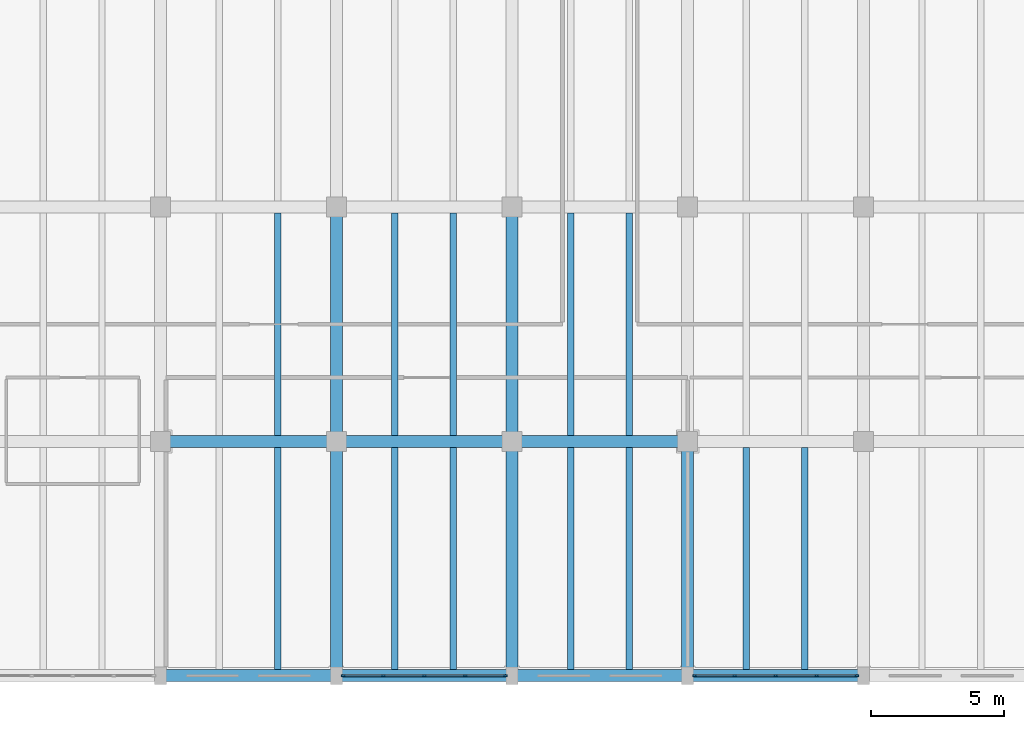
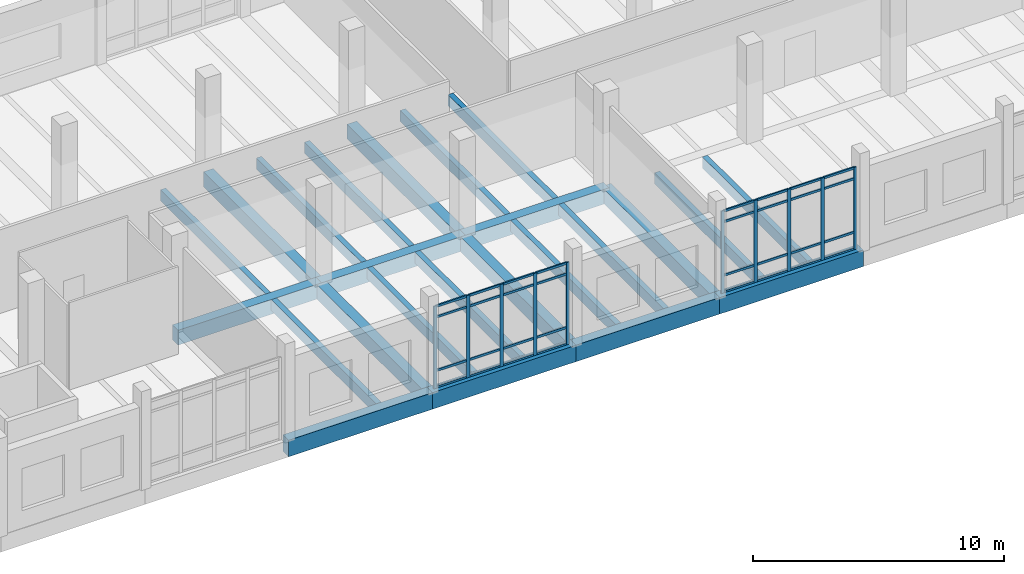
# One storey, part 46 of 125: 42 members, 24 beams, 2 elements without a shape of their own.
"""IFC4 building model written with IfcOpenShell, lengths in metres."""

from ifc_helpers import new_model, si_unit, direction, frame, origin, origin_2d, place, context, subcontext, project, spatial, rectangle, extrude, material, material_profile, profile_set, type_object, element, aggregate, save


model = new_model("IFC4")

# Units and contexts
model_context = context("Model", 3, precision=1e-05, world=origin(), true_north=direction((0.0, 1.0)))
body_context = subcontext(model_context, "Body", "Model", "MODEL_VIEW")
ifc_project = project(units=[si_unit("LENGTHUNIT", "METRE"), si_unit("AREAUNIT", "SQUARE_METRE"), si_unit("VOLUMEUNIT", "CUBIC_METRE"), si_unit("PLANEANGLEUNIT", "RADIAN"), si_unit("MASSUNIT", "GRAM", prefix="KILO")], contexts=[model_context])

# Site, building, storey
site_placement = place(None, origin())
site = spatial("IfcSite", under=ifc_project, at=site_placement, CompositionType="ELEMENT")
building_placement = place(site_placement, origin())
building = spatial("IfcBuilding", under=site, at=building_placement, Name="Dornvale Research Institute", CompositionType="ELEMENT")
storey_placement = place(building_placement, frame((0.0, 0.0, 5.39990234375)))
storey = spatial("IfcBuildingStorey", under=building, at=storey_placement, Name="L01", CompositionType="ELEMENT", Elevation=5.39990234375)

# Beams
ifc_material_1 = material(Name="Concrete f'c 45 MPa (C35/45)", Category="concrete")
ifc_material_profile_1 = material_profile(ifc_material_1, rectangle(XDim=0.449951171875, YDim=0.715087890625, at=origin_2d()), Name="RC 450x715")
ifc_profile_set_1 = profile_set([ifc_material_profile_1], Name="Concrete f'c 45 MPa (C35/45)")
beam_type_1 = type_object("IfcBeamType", Name="Beam_RC450x715_Lab", PredefinedType="BEAM", material=ifc_profile_set_1)
for number, where, z_axis, x_axis, name in (
    (1, (125.39990234375, 8.800048828125, -0.357421875), (1.0, 0.0, 0.0), (0.0, 1.0, 0.0), "L01 primary girder #433"),
    (2, (132.0, 8.800048828125, -0.357421875), (1.0, 0.0, 0.0), (0.0, 1.0, 0.0), "L01 primary girder #434"),
):
    element("IfcBeam", number, at=place(storey_placement, frame(where, z_axis=z_axis, x_axis=x_axis)), inside=storey, type_object=beam_type_1, Name=name, PredefinedType="BEAM", context=body_context, shape_type="SweptSolid", body=[
        extrude(rectangle(XDim=0.449951171875, YDim=0.715087890625, at=origin_2d()), origin(), (0.0, 0.0, 1.0), 6.60009765625),
    ])
beam_1_placement = place(storey_placement, frame((138.60009765625, 8.800048828125, -0.357421875), z_axis=(1.0, 0.0, 0.0), x_axis=(0.0, 1.0, 0.0)))
element("IfcBeam", 3, at=beam_1_placement, inside=storey, type_object=beam_type_1, Name="L01 primary girder #435", PredefinedType="BEAM", context=body_context, shape_type="SweptSolid", body=[
    extrude(rectangle(XDim=0.449951171875, YDim=0.715087890625, at=origin_2d()), origin(), (0.0, 0.0, 1.0), 6.599853515625),
])
for number, where, z_axis, x_axis, name in (
    (4, (132.0, 0.0, -0.357421875), (0.0, 1.0, 0.0), (-1.0, 0.0, 0.0), "L01 transverse girder #479"),
    (5, (132.0, 8.800048828125, -0.357421875), (0.0, 1.0, 0.0), (-1.0, 0.0, 0.0), "L01 transverse girder #480"),
    (6, (138.60009765625, 0.0, -0.357421875), (0.0, 1.0, 0.0), (-1.0, 0.0, 0.0), "L01 transverse girder #482"),
    (7, (138.60009765625, 8.800048828125, -0.357421875), (0.0, 1.0, 0.0), (-1.0, 0.0, 0.0), "L01 transverse girder #483"),
    (8, (145.199951171875, 0.0, -0.357421875), (0.0, 1.0, 0.0), (-1.0, 0.0, 0.0), "L01 transverse girder #485"),
):
    element("IfcBeam", number, at=place(storey_placement, frame(where, z_axis=z_axis, x_axis=x_axis)), inside=storey, type_object=beam_type_1, Name=name, PredefinedType="BEAM", context=body_context, shape_type="SweptSolid", body=[
        extrude(rectangle(XDim=0.449951171875, YDim=0.715087890625, at=origin_2d()), origin(), (0.0, 0.0, 1.0), 8.800048828125),
    ])
ifc_material_2 = material(Name="Concrete f'c 45 MPa (C35/45)", Category="concrete")
ifc_material_profile_2 = material_profile(ifc_material_2, rectangle(XDim=0.239990234375, YDim=0.534912109375, at=origin_2d()), Name="RC 240x535")
ifc_profile_set_2 = profile_set([ifc_material_profile_2], Name="Concrete f'c 45 MPa (C35/45)")
beam_type_2 = type_object("IfcBeamType", Name="Joist_RC240x535_Waffle", PredefinedType="JOIST", material=ifc_profile_set_2)
beam_2_placement = place(storey_placement, frame((129.800048828125, 0.22509765625, -0.267333984375), z_axis=(0.0, 1.0, 0.0), x_axis=(-1.0, 0.0, 0.0)))
element("IfcBeam", 9, at=beam_2_placement, inside=storey, type_object=beam_type_2, Name="L01 laboratory waffle joist #234", PredefinedType="JOIST", context=body_context, shape_type="SweptSolid", body=[
    extrude(rectangle(XDim=0.239990234375, YDim=0.534912109375, at=origin_2d()), origin(), (0.0, 0.0, 1.0), 8.349853515625),
])
beam_3_placement = place(storey_placement, frame((129.800048828125, 9.02490234375, -0.267333984375), z_axis=(0.0, 1.0, 0.0), x_axis=(-1.0, 0.0, 0.0)))
element("IfcBeam", 10, at=beam_3_placement, inside=storey, type_object=beam_type_2, Name="L01 laboratory waffle joist #236", PredefinedType="JOIST", context=body_context, shape_type="SweptSolid", body=[
    extrude(rectangle(XDim=0.239990234375, YDim=0.534912109375, at=origin_2d()), origin(), (0.0, 0.0, 1.0), 8.35009765625),
])
for number, where, z_axis, x_axis, name in (
    (11, (134.199951171875, 0.22509765625, -0.267333984375), (0.0, 1.0, 0.0), (-1.0, 0.0, 0.0), "L01 laboratory waffle joist #239"),
    (12, (136.39990234375, 0.22509765625, -0.267333984375), (0.0, 1.0, 0.0), (-1.0, 0.0, 0.0), "L01 laboratory waffle joist #240"),
):
    element("IfcBeam", number, at=place(storey_placement, frame(where, z_axis=z_axis, x_axis=x_axis)), inside=storey, type_object=beam_type_2, Name=name, PredefinedType="JOIST", context=body_context, shape_type="SweptSolid", body=[
        extrude(rectangle(XDim=0.239990234375, YDim=0.534912109375, at=origin_2d()), origin(), (0.0, 0.0, 1.0), 8.349853515625),
    ])
for number, where, z_axis, x_axis, name in (
    (13, (134.199951171875, 9.02490234375, -0.267333984375), (0.0, 1.0, 0.0), (-1.0, 0.0, 0.0), "L01 laboratory waffle joist #241"),
    (14, (136.39990234375, 9.02490234375, -0.267333984375), (0.0, 1.0, 0.0), (-1.0, 0.0, 0.0), "L01 laboratory waffle joist #242"),
):
    element("IfcBeam", number, at=place(storey_placement, frame(where, z_axis=z_axis, x_axis=x_axis)), inside=storey, type_object=beam_type_2, Name=name, PredefinedType="JOIST", context=body_context, shape_type="SweptSolid", body=[
        extrude(rectangle(XDim=0.239990234375, YDim=0.534912109375, at=origin_2d()), origin(), (0.0, 0.0, 1.0), 8.35009765625),
    ])
for number, where, z_axis, x_axis, name in (
    (15, (140.800048828125, 0.22509765625, -0.267333984375), (0.0, 1.0, 0.0), (-1.0, 0.0, 0.0), "L01 laboratory waffle joist #245"),
    (16, (143.0, 0.22509765625, -0.267333984375), (0.0, 1.0, 0.0), (-1.0, 0.0, 0.0), "L01 laboratory waffle joist #246"),
):
    element("IfcBeam", number, at=place(storey_placement, frame(where, z_axis=z_axis, x_axis=x_axis)), inside=storey, type_object=beam_type_2, Name=name, PredefinedType="JOIST", context=body_context, shape_type="SweptSolid", body=[
        extrude(rectangle(XDim=0.239990234375, YDim=0.534912109375, at=origin_2d()), origin(), (0.0, 0.0, 1.0), 8.349853515625),
    ])
for number, where, z_axis, x_axis, name in (
    (17, (140.800048828125, 9.02490234375, -0.267333984375), (0.0, 1.0, 0.0), (-1.0, 0.0, 0.0), "L01 laboratory waffle joist #247"),
    (18, (143.0, 9.02490234375, -0.267333984375), (0.0, 1.0, 0.0), (-1.0, 0.0, 0.0), "L01 laboratory waffle joist #248"),
):
    element("IfcBeam", number, at=place(storey_placement, frame(where, z_axis=z_axis, x_axis=x_axis)), inside=storey, type_object=beam_type_2, Name=name, PredefinedType="JOIST", context=body_context, shape_type="SweptSolid", body=[
        extrude(rectangle(XDim=0.239990234375, YDim=0.534912109375, at=origin_2d()), origin(), (0.0, 0.0, 1.0), 8.35009765625),
    ])
for number, where, z_axis, x_axis, name in (
    (19, (147.39990234375, 0.22509765625, -0.267333984375), (0.0, 1.0, 0.0), (-1.0, 0.0, 0.0), "L01 laboratory waffle joist #251"),
    (20, (149.60009765625, 0.22509765625, -0.267333984375), (0.0, 1.0, 0.0), (-1.0, 0.0, 0.0), "L01 laboratory waffle joist #252"),
):
    element("IfcBeam", number, at=place(storey_placement, frame(where, z_axis=z_axis, x_axis=x_axis)), inside=storey, type_object=beam_type_2, Name=name, PredefinedType="JOIST", context=body_context, shape_type="SweptSolid", body=[
        extrude(rectangle(XDim=0.239990234375, YDim=0.534912109375, at=origin_2d()), origin(), (0.0, 0.0, 1.0), 8.349853515625),
    ])

# Curtain wall, members
ifc_material_3 = material(Name="Low-E Argon Double Insulating Glazing Unit", Category="glass")
curtain_wall_type = type_object("IfcCurtainWallType", Name="UnitisedCurtainWall_V3_6150x4000", PredefinedType="USERDEFINED", material=ifc_material_3)
curtain_wall_1_placement = place(storey_placement, origin())
curtain_wall_1 = element("IfcCurtainWall", 21, at=curtain_wall_1_placement, inside=storey, type_object=curtain_wall_type, Name="L01 V3 unitised curtain wall CW-06 #38", ObjectType="UNITISED CURTAIN WALL", PredefinedType="USERDEFINED")
ifc_material_4 = material(Name="Anodized Aluminum AA 6063-T6 Thermally Broken Frame", Category="aluminium")
ifc_material_profile_3 = material_profile(ifc_material_4, rectangle(XDim=0.06494140625, YDim=0.14990234375, at=origin_2d()), Name="ALU MULLION 65x150")
ifc_profile_set_3 = profile_set([ifc_material_profile_3], Name="Anodized Aluminum AA 6063-T6 Thermally Broken Frame")
member_type_1 = type_object("IfcMemberType", Name="Mullion_CW_65x150", PredefinedType="MULLION", material=ifc_profile_set_3)
member_1_placement = place(storey_placement, frame((151.54248046875, 0.0, 0.0), z_axis=(0.0, 0.0, 1.0), x_axis=(0.0, -1.0, 0.0)))
member_1 = element("IfcMember", 22, at=member_1_placement, type_object=member_type_1, Name="CW-06 mullion 1", PredefinedType="MULLION", context=body_context, shape_type="SweptSolid", body=[
    extrude(rectangle(XDim=0.06494140625, YDim=0.14990234375, at=origin_2d()), origin(), (0.0, 0.0, 1.0), 4.0),
])
member_2_placement = place(storey_placement, frame((150.03759765625, 0.0, 0.0), z_axis=(0.0, 0.0, 1.0), x_axis=(0.0, -1.0, 0.0)))
member_2 = element("IfcMember", 23, at=member_2_placement, type_object=member_type_1, Name="CW-06 mullion 2", PredefinedType="MULLION", context=body_context, shape_type="SweptSolid", body=[
    extrude(rectangle(XDim=0.06494140625, YDim=0.14990234375, at=origin_2d()), origin(), (0.0, 0.0, 1.0), 4.0),
])
member_3_placement = place(storey_placement, frame((148.5, 0.0, 0.0), z_axis=(0.0, 0.0, 1.0), x_axis=(0.0, -1.0, 0.0)))
member_3 = element("IfcMember", 24, at=member_3_placement, type_object=member_type_1, Name="CW-06 mullion 3", PredefinedType="MULLION", context=body_context, shape_type="SweptSolid", body=[
    extrude(rectangle(XDim=0.06494140625, YDim=0.14990234375, at=origin_2d()), origin(), (0.0, 0.0, 1.0), 4.0),
])
member_4_placement = place(storey_placement, frame((146.96240234375, 0.0, 0.0), z_axis=(0.0, 0.0, 1.0), x_axis=(0.0, -1.0, 0.0)))
member_4 = element("IfcMember", 25, at=member_4_placement, type_object=member_type_1, Name="CW-06 mullion 4", PredefinedType="MULLION", context=body_context, shape_type="SweptSolid", body=[
    extrude(rectangle(XDim=0.06494140625, YDim=0.14990234375, at=origin_2d()), origin(), (0.0, 0.0, 1.0), 4.0),
])
member_5_placement = place(storey_placement, frame((145.45751953125, 0.0, 0.0), z_axis=(0.0, 0.0, 1.0), x_axis=(0.0, -1.0, 0.0)))
member_5 = element("IfcMember", 26, at=member_5_placement, type_object=member_type_1, Name="CW-06 mullion 5", PredefinedType="MULLION", context=body_context, shape_type="SweptSolid", body=[
    extrude(rectangle(XDim=0.06494140625, YDim=0.14990234375, at=origin_2d()), origin(), (0.0, 0.0, 1.0), 4.0),
])

curtain_wall_2_placement = place(storey_placement, origin())
curtain_wall_2 = element("IfcCurtainWall", 27, at=curtain_wall_2_placement, inside=storey, type_object=curtain_wall_type, Name="L01 V3 unitised curtain wall CW-06 #39", ObjectType="UNITISED CURTAIN WALL", PredefinedType="USERDEFINED")
member_6_placement = place(storey_placement, frame((138.342529296875, 0.0, 0.0), z_axis=(0.0, 0.0, 1.0), x_axis=(0.0, -1.0, 0.0)))
member_6 = element("IfcMember", 28, at=member_6_placement, type_object=member_type_1, Name="CW-06 mullion 1", PredefinedType="MULLION", context=body_context, shape_type="SweptSolid", body=[
    extrude(rectangle(XDim=0.06494140625, YDim=0.14990234375, at=origin_2d()), origin(), (0.0, 0.0, 1.0), 4.0),
])
member_7_placement = place(storey_placement, frame((136.83740234375, 0.0, 0.0), z_axis=(0.0, 0.0, 1.0), x_axis=(0.0, -1.0, 0.0)))
member_7 = element("IfcMember", 29, at=member_7_placement, type_object=member_type_1, Name="CW-06 mullion 2", PredefinedType="MULLION", context=body_context, shape_type="SweptSolid", body=[
    extrude(rectangle(XDim=0.06494140625, YDim=0.14990234375, at=origin_2d()), origin(), (0.0, 0.0, 1.0), 4.0),
])
member_8_placement = place(storey_placement, frame((135.300048828125, 0.0, 0.0), z_axis=(0.0, 0.0, 1.0), x_axis=(0.0, -1.0, 0.0)))
member_8 = element("IfcMember", 30, at=member_8_placement, type_object=member_type_1, Name="CW-06 mullion 3", PredefinedType="MULLION", context=body_context, shape_type="SweptSolid", body=[
    extrude(rectangle(XDim=0.06494140625, YDim=0.14990234375, at=origin_2d()), origin(), (0.0, 0.0, 1.0), 4.0),
])
member_9_placement = place(storey_placement, frame((133.762451171875, 0.0, 0.0), z_axis=(0.0, 0.0, 1.0), x_axis=(0.0, -1.0, 0.0)))
member_9 = element("IfcMember", 31, at=member_9_placement, type_object=member_type_1, Name="CW-06 mullion 4", PredefinedType="MULLION", context=body_context, shape_type="SweptSolid", body=[
    extrude(rectangle(XDim=0.06494140625, YDim=0.14990234375, at=origin_2d()), origin(), (0.0, 0.0, 1.0), 4.0),
])
member_10_placement = place(storey_placement, frame((132.257568359375, 0.0, 0.0), z_axis=(0.0, 0.0, 1.0), x_axis=(0.0, -1.0, 0.0)))
member_10 = element("IfcMember", 32, at=member_10_placement, type_object=member_type_1, Name="CW-06 mullion 5", PredefinedType="MULLION", context=body_context, shape_type="SweptSolid", body=[
    extrude(rectangle(XDim=0.06494140625, YDim=0.14990234375, at=origin_2d()), origin(), (0.0, 0.0, 1.0), 4.0),
])

# Beams
ifc_material_5 = material(Name="Concrete f'c 45 MPa (C35/45)", Category="concrete")
ifc_material_profile_4 = material_profile(ifc_material_5, rectangle(XDim=0.449951171875, YDim=0.800048828125, at=origin_2d()), Name="RC 450x800")
ifc_profile_set_4 = profile_set([ifc_material_profile_4], Name="Concrete f'c 45 MPa (C35/45)")
beam_type_3 = type_object("IfcBeamType", Name="Spandrel_RC450x800_Ext", PredefinedType="SPANDREL", material=ifc_profile_set_4)
for number, where, z_axis, x_axis, name in (
    (33, (125.39990234375, 0.0, -0.39990234375), (1.0, 0.0, 0.0), (0.0, 1.0, 0.0), "L01 perimeter spandrel #421"),
    (34, (132.0, 0.0, -0.39990234375), (1.0, 0.0, 0.0), (0.0, 1.0, 0.0), "L01 perimeter spandrel #422"),
):
    element("IfcBeam", number, at=place(storey_placement, frame(where, z_axis=z_axis, x_axis=x_axis)), inside=storey, type_object=beam_type_3, Name=name, PredefinedType="SPANDREL", context=body_context, shape_type="SweptSolid", body=[
        extrude(rectangle(XDim=0.449951171875, YDim=0.800048828125, at=origin_2d()), origin(), (0.0, 0.0, 1.0), 6.60009765625),
    ])
beam_4_placement = place(storey_placement, frame((138.60009765625, 0.0, -0.39990234375), z_axis=(1.0, 0.0, 0.0), x_axis=(0.0, 1.0, 0.0)))
element("IfcBeam", 35, at=beam_4_placement, inside=storey, type_object=beam_type_3, Name="L01 perimeter spandrel #423", PredefinedType="SPANDREL", context=body_context, shape_type="SweptSolid", body=[
    extrude(rectangle(XDim=0.449951171875, YDim=0.800048828125, at=origin_2d()), origin(), (0.0, 0.0, 1.0), 6.599853515625),
])
beam_5_placement = place(storey_placement, frame((145.199951171875, 0.0, -0.39990234375), z_axis=(1.0, 0.0, 0.0), x_axis=(0.0, 1.0, 0.0)))
element("IfcBeam", 36, at=beam_5_placement, inside=storey, type_object=beam_type_3, Name="L01 perimeter spandrel #424", PredefinedType="SPANDREL", context=body_context, shape_type="SweptSolid", body=[
    extrude(rectangle(XDim=0.449951171875, YDim=0.800048828125, at=origin_2d()), origin(), (0.0, 0.0, 1.0), 6.60009765625),
])

# Member
ifc_material_6 = material(Name="Anodized Aluminum AA 6063-T6 Thermally Broken Frame", Category="aluminium")
ifc_material_profile_5 = material_profile(ifc_material_6, rectangle(XDim=0.06494140625, YDim=0.110107421875, at=origin_2d()), Name="ALU TRANSOM 65x110")
ifc_profile_set_5 = profile_set([ifc_material_profile_5], Name="Anodized Aluminum AA 6063-T6 Thermally Broken Frame")
member_type_2 = type_object("IfcMemberType", Name="Transom_CW_65x110", PredefinedType="USERDEFINED", material=ifc_profile_set_5)
member_11_placement = place(storey_placement, frame((151.510009765625, 0.0, 0.03271484375), z_axis=(-1.0, 0.0, 0.0), x_axis=(0.0, -1.0, 0.0)))
member_11 = element("IfcMember", 37, at=member_11_placement, type_object=member_type_2, Name="CW-06 transom 1.1", ObjectType="TRANSOM", PredefinedType="USERDEFINED", context=body_context, shape_type="SweptSolid", body=[
    extrude(rectangle(XDim=0.06494140625, YDim=0.110107421875, at=origin_2d()), origin(), (0.0, 0.0, 1.0), 1.43994140625),
])

member_12_placement = place(storey_placement, frame((151.510009765625, 0.0, 0.85009765625), z_axis=(-1.0, 0.0, 0.0), x_axis=(0.0, -1.0, 0.0)))
member_12 = element("IfcMember", 38, at=member_12_placement, type_object=member_type_2, Name="CW-06 transom 1.2", ObjectType="TRANSOM", PredefinedType="USERDEFINED", context=body_context, shape_type="SweptSolid", body=[
    extrude(rectangle(XDim=0.06494140625, YDim=0.110107421875, at=origin_2d()), origin(), (0.0, 0.0, 1.0), 1.43994140625),
])

member_13_placement = place(storey_placement, frame((151.510009765625, 0.0, 3.4501953125), z_axis=(-1.0, 0.0, 0.0), x_axis=(0.0, -1.0, 0.0)))
member_13 = element("IfcMember", 39, at=member_13_placement, type_object=member_type_2, Name="CW-06 transom 1.3", ObjectType="TRANSOM", PredefinedType="USERDEFINED", context=body_context, shape_type="SweptSolid", body=[
    extrude(rectangle(XDim=0.06494140625, YDim=0.110107421875, at=origin_2d()), origin(), (0.0, 0.0, 1.0), 1.43994140625),
])

member_14_placement = place(storey_placement, frame((151.510009765625, 0.0, 3.967529296875), z_axis=(-1.0, 0.0, 0.0), x_axis=(0.0, -1.0, 0.0)))
member_14 = element("IfcMember", 40, at=member_14_placement, type_object=member_type_2, Name="CW-06 transom 1.4", ObjectType="TRANSOM", PredefinedType="USERDEFINED", context=body_context, shape_type="SweptSolid", body=[
    extrude(rectangle(XDim=0.06494140625, YDim=0.110107421875, at=origin_2d()), origin(), (0.0, 0.0, 1.0), 1.43994140625),
])

member_15_placement = place(storey_placement, frame((150.0048828125, 0.0, 0.03271484375), z_axis=(-1.0, 0.0, 0.0), x_axis=(0.0, -1.0, 0.0)))
member_15 = element("IfcMember", 41, at=member_15_placement, type_object=member_type_2, Name="CW-06 transom 2.1", ObjectType="TRANSOM", PredefinedType="USERDEFINED", context=body_context, shape_type="SweptSolid", body=[
    extrude(rectangle(XDim=0.06494140625, YDim=0.110107421875, at=origin_2d()), origin(), (0.0, 0.0, 1.0), 1.472412109375),
])

member_16_placement = place(storey_placement, frame((150.0048828125, 0.0, 0.85009765625), z_axis=(-1.0, 0.0, 0.0), x_axis=(0.0, -1.0, 0.0)))
member_16 = element("IfcMember", 42, at=member_16_placement, type_object=member_type_2, Name="CW-06 transom 2.2", ObjectType="TRANSOM", PredefinedType="USERDEFINED", context=body_context, shape_type="SweptSolid", body=[
    extrude(rectangle(XDim=0.06494140625, YDim=0.110107421875, at=origin_2d()), origin(), (0.0, 0.0, 1.0), 1.472412109375),
])

member_17_placement = place(storey_placement, frame((150.0048828125, 0.0, 3.4501953125), z_axis=(-1.0, 0.0, 0.0), x_axis=(0.0, -1.0, 0.0)))
member_17 = element("IfcMember", 43, at=member_17_placement, type_object=member_type_2, Name="CW-06 transom 2.3", ObjectType="TRANSOM", PredefinedType="USERDEFINED", context=body_context, shape_type="SweptSolid", body=[
    extrude(rectangle(XDim=0.06494140625, YDim=0.110107421875, at=origin_2d()), origin(), (0.0, 0.0, 1.0), 1.472412109375),
])

member_18_placement = place(storey_placement, frame((150.0048828125, 0.0, 3.967529296875), z_axis=(-1.0, 0.0, 0.0), x_axis=(0.0, -1.0, 0.0)))
member_18 = element("IfcMember", 44, at=member_18_placement, type_object=member_type_2, Name="CW-06 transom 2.4", ObjectType="TRANSOM", PredefinedType="USERDEFINED", context=body_context, shape_type="SweptSolid", body=[
    extrude(rectangle(XDim=0.06494140625, YDim=0.110107421875, at=origin_2d()), origin(), (0.0, 0.0, 1.0), 1.472412109375),
])

member_19_placement = place(storey_placement, frame((148.467529296875, 0.0, 0.03271484375), z_axis=(-1.0, 0.0, 0.0), x_axis=(0.0, -1.0, 0.0)))
member_19 = element("IfcMember", 45, at=member_19_placement, type_object=member_type_2, Name="CW-06 transom 3.1", ObjectType="TRANSOM", PredefinedType="USERDEFINED", context=body_context, shape_type="SweptSolid", body=[
    extrude(rectangle(XDim=0.06494140625, YDim=0.110107421875, at=origin_2d()), origin(), (0.0, 0.0, 1.0), 1.472412109375),
])

member_20_placement = place(storey_placement, frame((148.467529296875, 0.0, 0.85009765625), z_axis=(-1.0, 0.0, 0.0), x_axis=(0.0, -1.0, 0.0)))
member_20 = element("IfcMember", 46, at=member_20_placement, type_object=member_type_2, Name="CW-06 transom 3.2", ObjectType="TRANSOM", PredefinedType="USERDEFINED", context=body_context, shape_type="SweptSolid", body=[
    extrude(rectangle(XDim=0.06494140625, YDim=0.110107421875, at=origin_2d()), origin(), (0.0, 0.0, 1.0), 1.472412109375),
])

member_21_placement = place(storey_placement, frame((148.467529296875, 0.0, 3.4501953125), z_axis=(-1.0, 0.0, 0.0), x_axis=(0.0, -1.0, 0.0)))
member_21 = element("IfcMember", 47, at=member_21_placement, type_object=member_type_2, Name="CW-06 transom 3.3", ObjectType="TRANSOM", PredefinedType="USERDEFINED", context=body_context, shape_type="SweptSolid", body=[
    extrude(rectangle(XDim=0.06494140625, YDim=0.110107421875, at=origin_2d()), origin(), (0.0, 0.0, 1.0), 1.472412109375),
])

member_22_placement = place(storey_placement, frame((148.467529296875, 0.0, 3.967529296875), z_axis=(-1.0, 0.0, 0.0), x_axis=(0.0, -1.0, 0.0)))
member_22 = element("IfcMember", 48, at=member_22_placement, type_object=member_type_2, Name="CW-06 transom 3.4", ObjectType="TRANSOM", PredefinedType="USERDEFINED", context=body_context, shape_type="SweptSolid", body=[
    extrude(rectangle(XDim=0.06494140625, YDim=0.110107421875, at=origin_2d()), origin(), (0.0, 0.0, 1.0), 1.472412109375),
])

member_23_placement = place(storey_placement, frame((146.929931640625, 0.0, 0.03271484375), z_axis=(-1.0, 0.0, 0.0), x_axis=(0.0, -1.0, 0.0)))
member_23 = element("IfcMember", 49, at=member_23_placement, type_object=member_type_2, Name="CW-06 transom 4.1", ObjectType="TRANSOM", PredefinedType="USERDEFINED", context=body_context, shape_type="SweptSolid", body=[
    extrude(rectangle(XDim=0.06494140625, YDim=0.110107421875, at=origin_2d()), origin(), (0.0, 0.0, 1.0), 1.43994140625),
])

member_24_placement = place(storey_placement, frame((146.929931640625, 0.0, 0.85009765625), z_axis=(-1.0, 0.0, 0.0), x_axis=(0.0, -1.0, 0.0)))
member_24 = element("IfcMember", 50, at=member_24_placement, type_object=member_type_2, Name="CW-06 transom 4.2", ObjectType="TRANSOM", PredefinedType="USERDEFINED", context=body_context, shape_type="SweptSolid", body=[
    extrude(rectangle(XDim=0.06494140625, YDim=0.110107421875, at=origin_2d()), origin(), (0.0, 0.0, 1.0), 1.43994140625),
])

member_25_placement = place(storey_placement, frame((146.929931640625, 0.0, 3.4501953125), z_axis=(-1.0, 0.0, 0.0), x_axis=(0.0, -1.0, 0.0)))
member_25 = element("IfcMember", 51, at=member_25_placement, type_object=member_type_2, Name="CW-06 transom 4.3", ObjectType="TRANSOM", PredefinedType="USERDEFINED", context=body_context, shape_type="SweptSolid", body=[
    extrude(rectangle(XDim=0.06494140625, YDim=0.110107421875, at=origin_2d()), origin(), (0.0, 0.0, 1.0), 1.43994140625),
])

member_26_placement = place(storey_placement, frame((146.929931640625, 0.0, 3.967529296875), z_axis=(-1.0, 0.0, 0.0), x_axis=(0.0, -1.0, 0.0)))
member_26 = element("IfcMember", 52, at=member_26_placement, type_object=member_type_2, Name="CW-06 transom 4.4", ObjectType="TRANSOM", PredefinedType="USERDEFINED", context=body_context, shape_type="SweptSolid", body=[
    extrude(rectangle(XDim=0.06494140625, YDim=0.110107421875, at=origin_2d()), origin(), (0.0, 0.0, 1.0), 1.43994140625),
])

aggregate(curtain_wall_1, [member_1, member_2, member_3, member_4, member_5, member_11, member_12, member_13, member_14, member_15, member_16, member_17, member_18, member_19, member_20, member_21, member_22, member_23, member_24, member_25, member_26])

member_27_placement = place(storey_placement, frame((138.31005859375, 0.0, 0.03271484375), z_axis=(-1.0, 0.0, 0.0), x_axis=(0.0, -1.0, 0.0)))
member_27 = element("IfcMember", 53, at=member_27_placement, type_object=member_type_2, Name="CW-06 transom 1.1", ObjectType="TRANSOM", PredefinedType="USERDEFINED", context=body_context, shape_type="SweptSolid", body=[
    extrude(rectangle(XDim=0.06494140625, YDim=0.110107421875, at=origin_2d()), origin(), (0.0, 0.0, 1.0), 1.43994140625),
])

member_28_placement = place(storey_placement, frame((138.31005859375, 0.0, 0.85009765625), z_axis=(-1.0, 0.0, 0.0), x_axis=(0.0, -1.0, 0.0)))
member_28 = element("IfcMember", 54, at=member_28_placement, type_object=member_type_2, Name="CW-06 transom 1.2", ObjectType="TRANSOM", PredefinedType="USERDEFINED", context=body_context, shape_type="SweptSolid", body=[
    extrude(rectangle(XDim=0.06494140625, YDim=0.110107421875, at=origin_2d()), origin(), (0.0, 0.0, 1.0), 1.43994140625),
])

member_29_placement = place(storey_placement, frame((138.31005859375, 0.0, 3.4501953125), z_axis=(-1.0, 0.0, 0.0), x_axis=(0.0, -1.0, 0.0)))
member_29 = element("IfcMember", 55, at=member_29_placement, type_object=member_type_2, Name="CW-06 transom 1.3", ObjectType="TRANSOM", PredefinedType="USERDEFINED", context=body_context, shape_type="SweptSolid", body=[
    extrude(rectangle(XDim=0.06494140625, YDim=0.110107421875, at=origin_2d()), origin(), (0.0, 0.0, 1.0), 1.43994140625),
])

member_30_placement = place(storey_placement, frame((138.31005859375, 0.0, 3.967529296875), z_axis=(-1.0, 0.0, 0.0), x_axis=(0.0, -1.0, 0.0)))
member_30 = element("IfcMember", 56, at=member_30_placement, type_object=member_type_2, Name="CW-06 transom 1.4", ObjectType="TRANSOM", PredefinedType="USERDEFINED", context=body_context, shape_type="SweptSolid", body=[
    extrude(rectangle(XDim=0.06494140625, YDim=0.110107421875, at=origin_2d()), origin(), (0.0, 0.0, 1.0), 1.43994140625),
])

member_31_placement = place(storey_placement, frame((136.804931640625, 0.0, 0.03271484375), z_axis=(-1.0, 0.0, 0.0), x_axis=(0.0, -1.0, 0.0)))
member_31 = element("IfcMember", 57, at=member_31_placement, type_object=member_type_2, Name="CW-06 transom 2.1", ObjectType="TRANSOM", PredefinedType="USERDEFINED", context=body_context, shape_type="SweptSolid", body=[
    extrude(rectangle(XDim=0.06494140625, YDim=0.110107421875, at=origin_2d()), origin(), (0.0, 0.0, 1.0), 1.472412109375),
])

member_32_placement = place(storey_placement, frame((136.804931640625, 0.0, 0.85009765625), z_axis=(-1.0, 0.0, 0.0), x_axis=(0.0, -1.0, 0.0)))
member_32 = element("IfcMember", 58, at=member_32_placement, type_object=member_type_2, Name="CW-06 transom 2.2", ObjectType="TRANSOM", PredefinedType="USERDEFINED", context=body_context, shape_type="SweptSolid", body=[
    extrude(rectangle(XDim=0.06494140625, YDim=0.110107421875, at=origin_2d()), origin(), (0.0, 0.0, 1.0), 1.472412109375),
])

member_33_placement = place(storey_placement, frame((136.804931640625, 0.0, 3.4501953125), z_axis=(-1.0, 0.0, 0.0), x_axis=(0.0, -1.0, 0.0)))
member_33 = element("IfcMember", 59, at=member_33_placement, type_object=member_type_2, Name="CW-06 transom 2.3", ObjectType="TRANSOM", PredefinedType="USERDEFINED", context=body_context, shape_type="SweptSolid", body=[
    extrude(rectangle(XDim=0.06494140625, YDim=0.110107421875, at=origin_2d()), origin(), (0.0, 0.0, 1.0), 1.472412109375),
])

member_34_placement = place(storey_placement, frame((136.804931640625, 0.0, 3.967529296875), z_axis=(-1.0, 0.0, 0.0), x_axis=(0.0, -1.0, 0.0)))
member_34 = element("IfcMember", 60, at=member_34_placement, type_object=member_type_2, Name="CW-06 transom 2.4", ObjectType="TRANSOM", PredefinedType="USERDEFINED", context=body_context, shape_type="SweptSolid", body=[
    extrude(rectangle(XDim=0.06494140625, YDim=0.110107421875, at=origin_2d()), origin(), (0.0, 0.0, 1.0), 1.472412109375),
])

member_35_placement = place(storey_placement, frame((135.267578125, 0.0, 0.03271484375), z_axis=(-1.0, 0.0, 0.0), x_axis=(0.0, -1.0, 0.0)))
member_35 = element("IfcMember", 61, at=member_35_placement, type_object=member_type_2, Name="CW-06 transom 3.1", ObjectType="TRANSOM", PredefinedType="USERDEFINED", context=body_context, shape_type="SweptSolid", body=[
    extrude(rectangle(XDim=0.06494140625, YDim=0.110107421875, at=origin_2d()), origin(), (0.0, 0.0, 1.0), 1.47265625),
])

member_36_placement = place(storey_placement, frame((135.267578125, 0.0, 0.85009765625), z_axis=(-1.0, 0.0, 0.0), x_axis=(0.0, -1.0, 0.0)))
member_36 = element("IfcMember", 62, at=member_36_placement, type_object=member_type_2, Name="CW-06 transom 3.2", ObjectType="TRANSOM", PredefinedType="USERDEFINED", context=body_context, shape_type="SweptSolid", body=[
    extrude(rectangle(XDim=0.06494140625, YDim=0.110107421875, at=origin_2d()), origin(), (0.0, 0.0, 1.0), 1.47265625),
])

member_37_placement = place(storey_placement, frame((135.267578125, 0.0, 3.4501953125), z_axis=(-1.0, 0.0, 0.0), x_axis=(0.0, -1.0, 0.0)))
member_37 = element("IfcMember", 63, at=member_37_placement, type_object=member_type_2, Name="CW-06 transom 3.3", ObjectType="TRANSOM", PredefinedType="USERDEFINED", context=body_context, shape_type="SweptSolid", body=[
    extrude(rectangle(XDim=0.06494140625, YDim=0.110107421875, at=origin_2d()), origin(), (0.0, 0.0, 1.0), 1.47265625),
])

member_38_placement = place(storey_placement, frame((135.267578125, 0.0, 3.967529296875), z_axis=(-1.0, 0.0, 0.0), x_axis=(0.0, -1.0, 0.0)))
member_38 = element("IfcMember", 64, at=member_38_placement, type_object=member_type_2, Name="CW-06 transom 3.4", ObjectType="TRANSOM", PredefinedType="USERDEFINED", context=body_context, shape_type="SweptSolid", body=[
    extrude(rectangle(XDim=0.06494140625, YDim=0.110107421875, at=origin_2d()), origin(), (0.0, 0.0, 1.0), 1.47265625),
])

member_39_placement = place(storey_placement, frame((133.72998046875, 0.0, 0.03271484375), z_axis=(-1.0, 0.0, 0.0), x_axis=(0.0, -1.0, 0.0)))
member_39 = element("IfcMember", 65, at=member_39_placement, type_object=member_type_2, Name="CW-06 transom 4.1", ObjectType="TRANSOM", PredefinedType="USERDEFINED", context=body_context, shape_type="SweptSolid", body=[
    extrude(rectangle(XDim=0.06494140625, YDim=0.110107421875, at=origin_2d()), origin(), (0.0, 0.0, 1.0), 1.43994140625),
])

member_40_placement = place(storey_placement, frame((133.72998046875, 0.0, 0.85009765625), z_axis=(-1.0, 0.0, 0.0), x_axis=(0.0, -1.0, 0.0)))
member_40 = element("IfcMember", 66, at=member_40_placement, type_object=member_type_2, Name="CW-06 transom 4.2", ObjectType="TRANSOM", PredefinedType="USERDEFINED", context=body_context, shape_type="SweptSolid", body=[
    extrude(rectangle(XDim=0.06494140625, YDim=0.110107421875, at=origin_2d()), origin(), (0.0, 0.0, 1.0), 1.43994140625),
])

member_41_placement = place(storey_placement, frame((133.72998046875, 0.0, 3.4501953125), z_axis=(-1.0, 0.0, 0.0), x_axis=(0.0, -1.0, 0.0)))
member_41 = element("IfcMember", 67, at=member_41_placement, type_object=member_type_2, Name="CW-06 transom 4.3", ObjectType="TRANSOM", PredefinedType="USERDEFINED", context=body_context, shape_type="SweptSolid", body=[
    extrude(rectangle(XDim=0.06494140625, YDim=0.110107421875, at=origin_2d()), origin(), (0.0, 0.0, 1.0), 1.43994140625),
])

member_42_placement = place(storey_placement, frame((133.72998046875, 0.0, 3.967529296875), z_axis=(-1.0, 0.0, 0.0), x_axis=(0.0, -1.0, 0.0)))
member_42 = element("IfcMember", 68, at=member_42_placement, type_object=member_type_2, Name="CW-06 transom 4.4", ObjectType="TRANSOM", PredefinedType="USERDEFINED", context=body_context, shape_type="SweptSolid", body=[
    extrude(rectangle(XDim=0.06494140625, YDim=0.110107421875, at=origin_2d()), origin(), (0.0, 0.0, 1.0), 1.43994140625),
])

aggregate(curtain_wall_2, [member_6, member_7, member_8, member_9, member_10, member_27, member_28, member_29, member_30, member_31, member_32, member_33, member_34, member_35, member_36, member_37, member_38, member_39, member_40, member_41, member_42])

save(model, "model.ifc")
